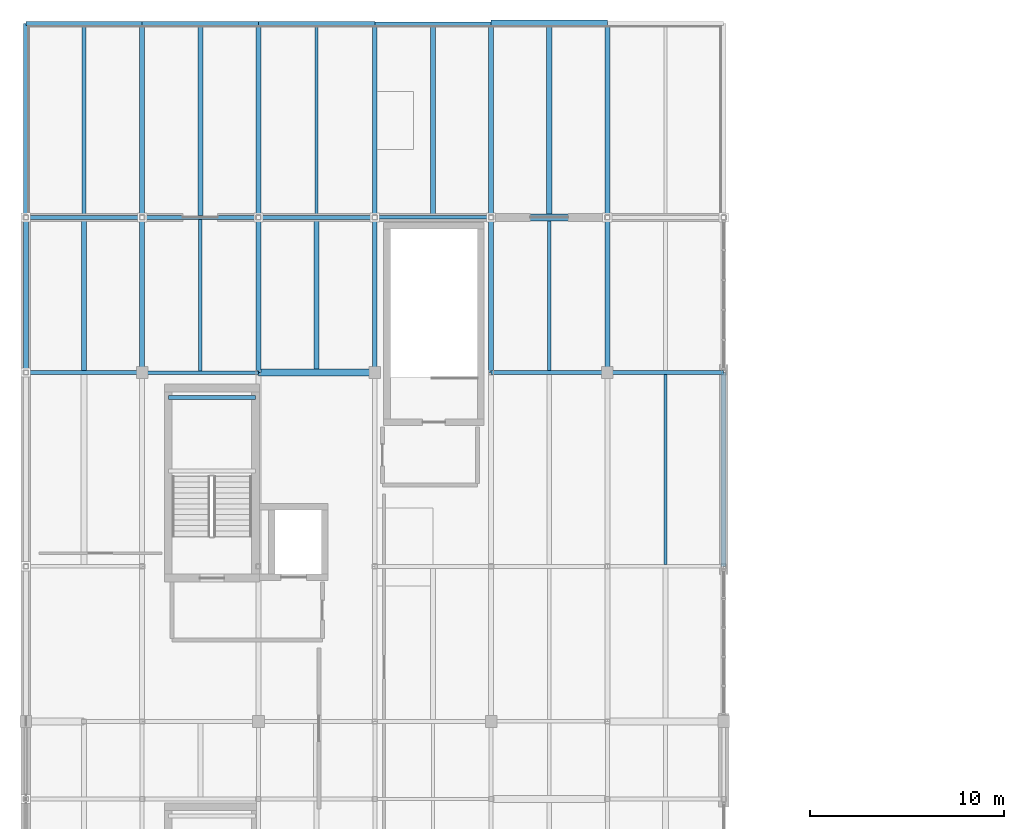
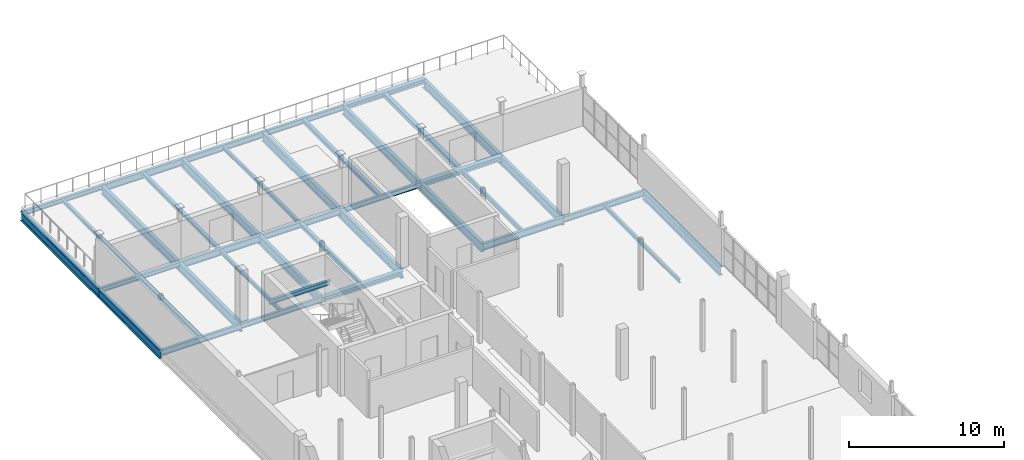
# One storey, part 20 of 35: 39 beams.
"""IFC4 building model written with IfcOpenShell, lengths in metres."""

from ifc_helpers import new_model, si_unit, direction, frame, origin, origin_2d, place, context, subcontext, project, spatial, i_section, extrude, material, material_profile, profile_set, type_object, element, save


model = new_model("IFC4")

# Units and contexts
model_context = context("Model", 3, precision=1e-05, world=origin(), true_north=direction((0.0, 1.0)))
body_context = subcontext(model_context, "Body", "Model", "MODEL_VIEW")
ifc_project = project(units=[si_unit("LENGTHUNIT", "METRE"), si_unit("AREAUNIT", "SQUARE_METRE"), si_unit("VOLUMEUNIT", "CUBIC_METRE"), si_unit("PLANEANGLEUNIT", "RADIAN"), si_unit("MASSUNIT", "GRAM", prefix="KILO")], contexts=[model_context])

# Site, building, storey
site_placement = place(None, origin())
site = spatial("IfcSite", under=ifc_project, at=site_placement, CompositionType="ELEMENT")
building_placement = place(site_placement, origin())
building = spatial("IfcBuilding", under=site, at=building_placement, Name="Verrall Gate Interchange", CompositionType="ELEMENT")
storey_placement = place(building_placement, frame((0.0, 0.0, 15.39990234375)))
storey = spatial("IfcBuildingStorey", under=building, at=storey_placement, Name="L04", CompositionType="ELEMENT", Elevation=15.39990234375)

# Beams
ifc_material_1 = material(Name="Structural Steel CSA G40.21 350WT Cat 4", Category="steel")
ifc_material_profile_1 = material_profile(ifc_material_1, i_section(OverallWidth=0.256103515625, OverallDepth=0.693115234375, WebThickness=0.01318359375, FlangeThickness=0.02001953125, FilletRadius=0.01611328125, at=origin_2d()), Name="W690x170")
ifc_profile_set_1 = profile_set([ifc_material_profile_1], Name="Structural Steel CSA G40.21 350WT Cat 4")
beam_type_1 = type_object("IfcBeamType", Name="B-07 Structural Beam W690x170", PredefinedType="BEAM", material=ifc_profile_set_1)
beam_1_placement = place(storey_placement, frame((0.0, 66.0, -0.676513671875), z_axis=(0.0, 1.0, 0.0), x_axis=(-1.0, 0.0, 0.0)))
element("IfcBeam", 1, at=beam_1_placement, inside=storey, type_object=beam_type_1, Name="L04 Girder BM-L04-2642 (B-07)", PredefinedType="BEAM", context=body_context, shape_type="SweptSolid", body=[
    extrude(i_section(OverallWidth=0.256103515625, OverallDepth=0.693115234375, WebThickness=0.01318359375, FlangeThickness=0.02001953125, FilletRadius=0.01611328125, at=origin_2d()), origin(), (0.0, 0.0, 1.0), 8.0),
])
beam_2_placement = place(storey_placement, frame((0.0, 74.0, -0.676513671875), z_axis=(0.0, 1.0, 0.0), x_axis=(-1.0, 0.0, 0.0)))
element("IfcBeam", 2, at=beam_2_placement, inside=storey, type_object=beam_type_1, Name="L04 Girder BM-L04-2643 (B-07)", PredefinedType="BEAM", context=body_context, shape_type="SweptSolid", body=[
    extrude(i_section(OverallWidth=0.256103515625, OverallDepth=0.693115234375, WebThickness=0.01318359375, FlangeThickness=0.02001953125, FilletRadius=0.01611328125, at=origin_2d()), origin(), (0.0, 0.0, 1.0), 10.0),
])
beam_3_placement = place(storey_placement, frame((6.0, 66.0, -0.676513671875), z_axis=(0.0, 1.0, 0.0), x_axis=(-1.0, 0.0, 0.0)))
element("IfcBeam", 3, at=beam_3_placement, inside=storey, type_object=beam_type_1, Name="L04 Girder BM-L04-2656 (B-07)", PredefinedType="BEAM", context=body_context, shape_type="SweptSolid", body=[
    extrude(i_section(OverallWidth=0.256103515625, OverallDepth=0.693115234375, WebThickness=0.01318359375, FlangeThickness=0.02001953125, FilletRadius=0.01611328125, at=origin_2d()), origin(), (0.0, 0.0, 1.0), 8.0),
])
beam_4_placement = place(storey_placement, frame((6.0, 74.0, -0.676513671875), z_axis=(0.0, 1.0, 0.0), x_axis=(-1.0, 0.0, 0.0)))
element("IfcBeam", 4, at=beam_4_placement, inside=storey, type_object=beam_type_1, Name="L04 Girder BM-L04-2657 (B-07)", PredefinedType="BEAM", context=body_context, shape_type="SweptSolid", body=[
    extrude(i_section(OverallWidth=0.256103515625, OverallDepth=0.693115234375, WebThickness=0.01318359375, FlangeThickness=0.02001953125, FilletRadius=0.01611328125, at=origin_2d()), origin(), (0.0, 0.0, 1.0), 10.0),
])
beam_5_placement = place(storey_placement, frame((12.0, 66.0, -0.676513671875), z_axis=(0.0, 1.0, 0.0), x_axis=(-1.0, 0.0, 0.0)))
element("IfcBeam", 5, at=beam_5_placement, inside=storey, type_object=beam_type_1, Name="L04 Girder BM-L04-2669 (B-07)", PredefinedType="BEAM", context=body_context, shape_type="SweptSolid", body=[
    extrude(i_section(OverallWidth=0.256103515625, OverallDepth=0.693115234375, WebThickness=0.01318359375, FlangeThickness=0.02001953125, FilletRadius=0.01611328125, at=origin_2d()), origin(), (0.0, 0.0, 1.0), 8.0),
])
beam_6_placement = place(storey_placement, frame((12.0, 74.0, -0.676513671875), z_axis=(0.0, 1.0, 0.0), x_axis=(-1.0, 0.0, 0.0)))
element("IfcBeam", 6, at=beam_6_placement, inside=storey, type_object=beam_type_1, Name="L04 Girder BM-L04-2670 (B-07)", PredefinedType="BEAM", context=body_context, shape_type="SweptSolid", body=[
    extrude(i_section(OverallWidth=0.256103515625, OverallDepth=0.693115234375, WebThickness=0.01318359375, FlangeThickness=0.02001953125, FilletRadius=0.01611328125, at=origin_2d()), origin(), (0.0, 0.0, 1.0), 10.0),
])
beam_7_placement = place(storey_placement, frame((18.0, 66.0, -0.676513671875), z_axis=(0.0, 1.0, 0.0), x_axis=(-1.0, 0.0, 0.0)))
element("IfcBeam", 7, at=beam_7_placement, inside=storey, type_object=beam_type_1, Name="L04 Girder BM-L04-2682 (B-07)", PredefinedType="BEAM", context=body_context, shape_type="SweptSolid", body=[
    extrude(i_section(OverallWidth=0.256103515625, OverallDepth=0.693115234375, WebThickness=0.01318359375, FlangeThickness=0.02001953125, FilletRadius=0.01611328125, at=origin_2d()), origin(), (0.0, 0.0, 1.0), 8.0),
])
beam_8_placement = place(storey_placement, frame((18.0, 74.0, -0.676513671875), z_axis=(0.0, 1.0, 0.0), x_axis=(-1.0, 0.0, 0.0)))
element("IfcBeam", 8, at=beam_8_placement, inside=storey, type_object=beam_type_1, Name="L04 Girder BM-L04-2683 (B-07)", PredefinedType="BEAM", context=body_context, shape_type="SweptSolid", body=[
    extrude(i_section(OverallWidth=0.256103515625, OverallDepth=0.693115234375, WebThickness=0.01318359375, FlangeThickness=0.02001953125, FilletRadius=0.01611328125, at=origin_2d()), origin(), (0.0, 0.0, 1.0), 10.0),
])
beam_9_placement = place(storey_placement, frame((24.0, 66.0, -0.676513671875), z_axis=(0.0, 1.0, 0.0), x_axis=(-1.0, 0.0, 0.0)))
element("IfcBeam", 9, at=beam_9_placement, inside=storey, type_object=beam_type_1, Name="L04 Girder BM-L04-2695 (B-07)", PredefinedType="BEAM", context=body_context, shape_type="SweptSolid", body=[
    extrude(i_section(OverallWidth=0.256103515625, OverallDepth=0.693115234375, WebThickness=0.01318359375, FlangeThickness=0.02001953125, FilletRadius=0.01611328125, at=origin_2d()), origin(), (0.0, 0.0, 1.0), 8.0),
])
beam_10_placement = place(storey_placement, frame((24.0, 74.0, -0.676513671875), z_axis=(0.0, 1.0, 0.0), x_axis=(-1.0, 0.0, 0.0)))
element("IfcBeam", 10, at=beam_10_placement, inside=storey, type_object=beam_type_1, Name="L04 Girder BM-L04-2696 (B-07)", PredefinedType="BEAM", context=body_context, shape_type="SweptSolid", body=[
    extrude(i_section(OverallWidth=0.256103515625, OverallDepth=0.693115234375, WebThickness=0.01318359375, FlangeThickness=0.02001953125, FilletRadius=0.01611328125, at=origin_2d()), origin(), (0.0, 0.0, 1.0), 10.0),
])
beam_11_placement = place(storey_placement, frame((30.0, 66.0, -0.676513671875), z_axis=(0.0, 1.0, 0.0), x_axis=(-1.0, 0.0, 0.0)))
element("IfcBeam", 11, at=beam_11_placement, inside=storey, type_object=beam_type_1, Name="L04 Girder BM-L04-2708 (B-07)", PredefinedType="BEAM", context=body_context, shape_type="SweptSolid", body=[
    extrude(i_section(OverallWidth=0.256103515625, OverallDepth=0.693115234375, WebThickness=0.01318359375, FlangeThickness=0.02001953125, FilletRadius=0.01611328125, at=origin_2d()), origin(), (0.0, 0.0, 1.0), 8.0),
])
for number, where, z_axis, x_axis, name in (
    (12, (30.0, 74.0, -0.676513671875), (0.0, 1.0, 0.0), (-1.0, 0.0, 0.0), "L04 Girder BM-L04-2709 (B-07)"),
    (13, (36.0, 56.0, -0.676513671875), (0.0, 1.0, 0.0), (-1.0, 0.0, 0.0), "L04 Girder BM-L04-2720 (B-07)"),
):
    element("IfcBeam", number, at=place(storey_placement, frame(where, z_axis=z_axis, x_axis=x_axis)), inside=storey, type_object=beam_type_1, Name=name, PredefinedType="BEAM", context=body_context, shape_type="SweptSolid", body=[
        extrude(i_section(OverallWidth=0.256103515625, OverallDepth=0.693115234375, WebThickness=0.01318359375, FlangeThickness=0.02001953125, FilletRadius=0.01611328125, at=origin_2d()), origin(), (0.0, 0.0, 1.0), 10.0),
    ])
ifc_material_2 = material(Name="Structural Steel CSA G40.21 350W", Category="steel")
ifc_material_profile_2 = material_profile(ifc_material_2, i_section(OverallWidth=0.2109375, OverallDepth=0.5390625, WebThickness=0.01171875, FlangeThickness=0.018798828125, FilletRadius=0.013916015625, at=origin_2d()), Name="W530x109")
ifc_profile_set_2 = profile_set([ifc_material_profile_2], Name="Structural Steel CSA G40.21 350W")
beam_type_2 = type_object("IfcBeamType", Name="B-10 Structural Beam W530x109", PredefinedType="BEAM", material=ifc_profile_set_2)
for number, where, z_axis, x_axis, name in (
    (14, (24.0, 66.0, -0.599365234375), (1.0, 0.0, 0.0), (0.0, 1.0, 0.0), "L04 Girder BM-L04-2617 (B-10)"),
    (15, (6.0, 74.0, -0.599365234375), (1.0, 0.0, 0.0), (0.0, 1.0, 0.0), "L04 Girder BM-L04-2620 (B-10)"),
    (16, (6.0, 84.0, -0.599365234375), (1.0, 0.0, 0.0), (0.0, 1.0, 0.0), "L04 Girder BM-L04-2626 (B-10)"),
):
    element("IfcBeam", number, at=place(storey_placement, frame(where, z_axis=z_axis, x_axis=x_axis)), inside=storey, type_object=beam_type_2, Name=name, PredefinedType="BEAM", context=body_context, shape_type="SweptSolid", body=[
        extrude(i_section(OverallWidth=0.2109375, OverallDepth=0.5390625, WebThickness=0.01171875, FlangeThickness=0.018798828125, FilletRadius=0.013916015625, at=origin_2d()), origin(), (0.0, 0.0, 1.0), 6.0),
    ])
ifc_material_3 = material(Name="Structural Steel CSA G40.21 350W", Category="steel")
ifc_material_profile_3 = material_profile(ifc_material_3, i_section(OverallWidth=0.19189453125, OverallDepth=0.462890625, WebThickness=0.010498046875, FlangeThickness=0.017578125, FilletRadius=0.012939453125, at=origin_2d()), Name="W460x89")
ifc_profile_set_3 = profile_set([ifc_material_profile_3], Name="Structural Steel CSA G40.21 350W")
beam_type_3 = type_object("IfcBeamType", Name="B-11 Structural Beam W460x89", PredefinedType="BEAM", material=ifc_profile_set_3)
for number, where, z_axis, x_axis, name in (
    (17, (0.0, 66.0, -0.5615234375), (1.0, 0.0, 0.0), (0.0, 1.0, 0.0), "L04 Girder BM-L04-2614 (B-11)"),
    (18, (30.0, 66.0, -0.5615234375), (1.0, 0.0, 0.0), (0.0, 1.0, 0.0), "L04 Girder BM-L04-2618 (B-11)"),
    (19, (12.0, 74.0, -0.5615234375), (1.0, 0.0, 0.0), (0.0, 1.0, 0.0), "L04 Girder BM-L04-2621 (B-11)"),
    (20, (12.0, 84.0, -0.5615234375), (1.0, 0.0, 0.0), (0.0, 1.0, 0.0), "L04 Girder BM-L04-2627 (B-11)"),
):
    element("IfcBeam", number, at=place(storey_placement, frame(where, z_axis=z_axis, x_axis=x_axis)), inside=storey, type_object=beam_type_3, Name=name, PredefinedType="BEAM", context=body_context, shape_type="SweptSolid", body=[
        extrude(i_section(OverallWidth=0.19189453125, OverallDepth=0.462890625, WebThickness=0.010498046875, FlangeThickness=0.017578125, FilletRadius=0.012939453125, at=origin_2d()), origin(), (0.0, 0.0, 1.0), 6.0),
    ])
ifc_material_4 = material(Name="Structural Steel CSA G40.21 350W", Category="steel")
ifc_material_profile_4 = material_profile(ifc_material_4, i_section(OverallWidth=0.178955078125, OverallDepth=0.409912109375, WebThickness=0.0087890625, FlangeThickness=0.014404296875, FilletRadius=0.011962890625, at=origin_2d()), Name="W410x67")
ifc_profile_set_4 = profile_set([ifc_material_profile_4], Name="Structural Steel CSA G40.21 350W")
beam_type_4 = type_object("IfcBeamType", Name="B-12 Structural Beam W410x67", PredefinedType="BEAM", material=ifc_profile_set_4)
for number, where, z_axis, x_axis, name in (
    (21, (6.0, 66.0, -0.534912109375), (1.0, 0.0, 0.0), (0.0, 1.0, 0.0), "L04 Girder BM-L04-2615 (B-12)"),
    (22, (18.0, 74.0, -0.534912109375), (1.0, 0.0, 0.0), (0.0, 1.0, 0.0), "L04 Girder BM-L04-2622 (B-12)"),
    (23, (18.0, 84.0, -0.534912109375), (1.0, 0.0, 0.0), (0.0, 1.0, 0.0), "L04 Girder BM-L04-2628 (B-12)"),
):
    element("IfcBeam", number, at=place(storey_placement, frame(where, z_axis=z_axis, x_axis=x_axis)), inside=storey, type_object=beam_type_4, Name=name, PredefinedType="BEAM", context=body_context, shape_type="SweptSolid", body=[
        extrude(i_section(OverallWidth=0.178955078125, OverallDepth=0.409912109375, WebThickness=0.0087890625, FlangeThickness=0.014404296875, FilletRadius=0.011962890625, at=origin_2d()), origin(), (0.0, 0.0, 1.0), 6.0),
    ])
ifc_material_5 = material(Name="Structural Steel CSA G40.21 350W", Category="steel")
ifc_material_profile_5 = material_profile(ifc_material_5, i_section(OverallWidth=0.368896484375, OverallDepth=0.35595703125, WebThickness=0.01123046875, FlangeThickness=0.01806640625, FilletRadius=0.014892578125, at=origin_2d()), Name="W360x134")
ifc_profile_set_5 = profile_set([ifc_material_profile_5], Name="Structural Steel CSA G40.21 350W")
beam_type_5 = type_object("IfcBeamType", Name="B-13 Structural Beam W360x134", PredefinedType="BEAM", material=ifc_profile_set_5)
for number, where, z_axis, x_axis, name in (
    (24, (12.0, 66.0, -0.5078125), (1.0, 0.0, 0.0), (0.0, 1.0, 0.0), "L04 Girder BM-L04-2616 (B-13)"),
    (25, (24.0, 74.0, -0.5078125), (1.0, 0.0, 0.0), (0.0, 1.0, 0.0), "L04 Girder BM-L04-2623 (B-13)"),
    (26, (24.0, 84.0, -0.5078125), (1.0, 0.0, 0.0), (0.0, 1.0, 0.0), "L04 Girder BM-L04-2629 (B-13)"),
):
    element("IfcBeam", number, at=place(storey_placement, frame(where, z_axis=z_axis, x_axis=x_axis)), inside=storey, type_object=beam_type_5, Name=name, PredefinedType="BEAM", context=body_context, shape_type="SweptSolid", body=[
        extrude(i_section(OverallWidth=0.368896484375, OverallDepth=0.35595703125, WebThickness=0.01123046875, FlangeThickness=0.01806640625, FilletRadius=0.014892578125, at=origin_2d()), origin(), (0.0, 0.0, 1.0), 6.0),
    ])
ifc_material_6 = material(Name="Structural Steel CSA G40.21 350W", Category="steel")
ifc_material_profile_6 = material_profile(ifc_material_6, i_section(OverallWidth=0.205078125, OverallDepth=0.35400390625, WebThickness=0.009521484375, FlangeThickness=0.016845703125, FilletRadius=0.012939453125, at=origin_2d()), Name="W360x79")
ifc_profile_set_6 = profile_set([ifc_material_profile_6], Name="Structural Steel CSA G40.21 350W")
beam_type_6 = type_object("IfcBeamType", Name="B-14 Structural Beam W360x79", PredefinedType="BEAM", material=ifc_profile_set_6)
for number, where, z_axis, x_axis, name in (
    (27, (0.0, 74.0, -0.5068359375), (1.0, 0.0, 0.0), (0.0, 1.0, 0.0), "L04 Girder BM-L04-2619 (B-14)"),
    (28, (0.0, 84.0, -0.5068359375), (1.0, 0.0, 0.0), (0.0, 1.0, 0.0), "L04 Girder BM-L04-2625 (B-14)"),
):
    element("IfcBeam", number, at=place(storey_placement, frame(where, z_axis=z_axis, x_axis=x_axis)), inside=storey, type_object=beam_type_6, Name=name, PredefinedType="BEAM", context=body_context, shape_type="SweptSolid", body=[
        extrude(i_section(OverallWidth=0.205078125, OverallDepth=0.35400390625, WebThickness=0.009521484375, FlangeThickness=0.016845703125, FilletRadius=0.012939453125, at=origin_2d()), origin(), (0.0, 0.0, 1.0), 6.0),
    ])
beam_12_placement = place(storey_placement, frame((7.35009765625, 64.719970703125, 1.630126953125), z_axis=(1.0, 0.0, 0.0), x_axis=(0.0, 1.0, 0.0)))
element("IfcBeam", 29, at=beam_12_placement, inside=storey, type_object=beam_type_6, Name="L04 Core C3 Mid-Landing Beam 2", PredefinedType="BEAM", context=body_context, shape_type="SweptSolid", body=[
    extrude(i_section(OverallWidth=0.205078125, OverallDepth=0.35400390625, WebThickness=0.009521484375, FlangeThickness=0.016845703125, FilletRadius=0.012939453125, at=origin_2d()), origin(), (0.0, 0.0, 1.0), 4.5),
])
ifc_material_7 = material(Name="Structural Steel CSA G40.21 350W", Category="steel")
ifc_material_profile_7 = material_profile(ifc_material_7, i_section(OverallWidth=0.172119140625, OverallDepth=0.35791015625, WebThickness=0.0078125, FlangeThickness=0.01318359375, FilletRadius=0.010986328125, at=origin_2d()), Name="W360x57")
ifc_profile_set_7 = profile_set([ifc_material_profile_7], Name="Structural Steel CSA G40.21 350W")
beam_type_7 = type_object("IfcBeamType", Name="J-01 Floor Joist W360x57", PredefinedType="JOIST", material=ifc_profile_set_7)
beam_13_placement = place(storey_placement, frame((27.0, 66.10546875, -0.5087890625), z_axis=(0.0, 1.0, 0.0), x_axis=(-1.0, 0.0, 0.0)))
element("IfcBeam", 30, at=beam_13_placement, inside=storey, type_object=beam_type_7, Name="L04 Secondary Floor Joist JST-L04-2838", PredefinedType="JOIST", context=body_context, shape_type="SweptSolid", body=[
    extrude(i_section(OverallWidth=0.172119140625, OverallDepth=0.35791015625, WebThickness=0.0078125, FlangeThickness=0.01318359375, FilletRadius=0.010986328125, at=origin_2d()), origin(), (0.0, 0.0, 1.0), 7.7099609375),
])
ifc_material_8 = material(Name="Structural Steel CSA G40.21 350W", Category="steel")
ifc_material_profile_8 = material_profile(ifc_material_8, i_section(OverallWidth=0.306884765625, OverallDepth=0.31396484375, WebThickness=0.011962890625, FlangeThickness=0.018798828125, FilletRadius=0.013916015625, at=origin_2d()), Name="W310x118")
ifc_profile_set_8 = profile_set([ifc_material_profile_8], Name="Structural Steel CSA G40.21 350W")
beam_type_8 = type_object("IfcBeamType", Name="J-02 Floor Joist W310x118", PredefinedType="JOIST", material=ifc_profile_set_8)
beam_14_placement = place(storey_placement, frame((27.0, 74.1845703125, -0.48681640625), z_axis=(0.0, 1.0, 0.0), x_axis=(-1.0, 0.0, 0.0)))
element("IfcBeam", 31, at=beam_14_placement, inside=storey, type_object=beam_type_8, Name="L04 Secondary Floor Joist JST-L04-2844", PredefinedType="JOIST", context=body_context, shape_type="SweptSolid", body=[
    extrude(i_section(OverallWidth=0.306884765625, OverallDepth=0.31396484375, WebThickness=0.011962890625, FlangeThickness=0.018798828125, FilletRadius=0.013916015625, at=origin_2d()), origin(), (0.0, 0.0, 1.0), 9.630859375),
])
ifc_material_9 = material(Name="Structural Steel CSA G40.21 350W", Category="steel")
ifc_material_profile_9 = material_profile(ifc_material_9, i_section(OverallWidth=0.25390625, OverallDepth=0.305908203125, WebThickness=0.0087890625, FlangeThickness=0.0146484375, FilletRadius=0.012939453125, at=origin_2d()), Name="W310x79")
ifc_profile_set_9 = profile_set([ifc_material_profile_9], Name="Structural Steel CSA G40.21 350W")
beam_type_9 = type_object("IfcBeamType", Name="J-03 Floor Joist W310x79", PredefinedType="JOIST", material=ifc_profile_set_9)
beam_15_placement = place(storey_placement, frame((15.0, 66.1845703125, -0.48291015625), z_axis=(0.0, 1.0, 0.0), x_axis=(-1.0, 0.0, 0.0)))
element("IfcBeam", 32, at=beam_15_placement, inside=storey, type_object=beam_type_9, Name="L04 Secondary Floor Joist JST-L04-2837", PredefinedType="JOIST", context=body_context, shape_type="SweptSolid", body=[
    extrude(i_section(OverallWidth=0.25390625, OverallDepth=0.305908203125, WebThickness=0.0087890625, FlangeThickness=0.0146484375, FilletRadius=0.012939453125, at=origin_2d()), origin(), (0.0, 0.0, 1.0), 7.719482421875),
])
beam_16_placement = place(storey_placement, frame((21.0, 74.089599609375, -0.48291015625), z_axis=(0.0, 1.0, 0.0), x_axis=(-1.0, 0.0, 0.0)))
element("IfcBeam", 33, at=beam_16_placement, inside=storey, type_object=beam_type_9, Name="L04 Secondary Floor Joist JST-L04-2843", PredefinedType="JOIST", context=body_context, shape_type="SweptSolid", body=[
    extrude(i_section(OverallWidth=0.25390625, OverallDepth=0.305908203125, WebThickness=0.0087890625, FlangeThickness=0.0146484375, FilletRadius=0.012939453125, at=origin_2d()), origin(), (0.0, 0.0, 1.0), 9.82080078125),
])
ifc_material_10 = material(Name="Structural Steel CSA G40.21 350W", Category="steel")
ifc_material_profile_10 = material_profile(ifc_material_10, i_section(OverallWidth=0.1650390625, OverallDepth=0.31005859375, WebThickness=0.005859375, FlangeThickness=0.009765625, FilletRadius=0.010009765625, at=origin_2d()), Name="W310x39")
ifc_profile_set_10 = profile_set([ifc_material_profile_10], Name="Structural Steel CSA G40.21 350W")
beam_type_10 = type_object("IfcBeamType", Name="J-04 Floor Joist W310x39", PredefinedType="JOIST", material=ifc_profile_set_10)
beam_17_placement = place(storey_placement, frame((33.0, 56.095947265625, -0.48486328125), z_axis=(0.0, 1.0, 0.0), x_axis=(-1.0, 0.0, 0.0)))
element("IfcBeam", 34, at=beam_17_placement, inside=storey, type_object=beam_type_10, Name="L04 Secondary Floor Joist JST-L04-2834", PredefinedType="JOIST", context=body_context, shape_type="SweptSolid", body=[
    extrude(i_section(OverallWidth=0.1650390625, OverallDepth=0.31005859375, WebThickness=0.005859375, FlangeThickness=0.009765625, FilletRadius=0.010009765625, at=origin_2d()), origin(), (0.0, 0.0, 1.0), 9.80810546875),
])
beam_18_placement = place(storey_placement, frame((9.0, 66.089599609375, -0.48486328125), z_axis=(0.0, 1.0, 0.0), x_axis=(-1.0, 0.0, 0.0)))
element("IfcBeam", 35, at=beam_18_placement, inside=storey, type_object=beam_type_10, Name="L04 Secondary Floor Joist JST-L04-2836", PredefinedType="JOIST", context=body_context, shape_type="SweptSolid", body=[
    extrude(i_section(OverallWidth=0.1650390625, OverallDepth=0.31005859375, WebThickness=0.005859375, FlangeThickness=0.009765625, FilletRadius=0.010009765625, at=origin_2d()), origin(), (0.0, 0.0, 1.0), 7.804931640625),
])
beam_19_placement = place(storey_placement, frame((15.0, 74.095947265625, -0.48486328125), z_axis=(0.0, 1.0, 0.0), x_axis=(-1.0, 0.0, 0.0)))
element("IfcBeam", 36, at=beam_19_placement, inside=storey, type_object=beam_type_10, Name="L04 Secondary Floor Joist JST-L04-2842", PredefinedType="JOIST", context=body_context, shape_type="SweptSolid", body=[
    extrude(i_section(OverallWidth=0.1650390625, OverallDepth=0.31005859375, WebThickness=0.005859375, FlangeThickness=0.009765625, FilletRadius=0.010009765625, at=origin_2d()), origin(), (0.0, 0.0, 1.0), 9.80810546875),
])
ifc_material_11 = material(Name="Structural Steel CSA G40.21 350W", Category="steel")
ifc_material_profile_11 = material_profile(ifc_material_11, i_section(OverallWidth=0.25390625, OverallDepth=0.2529296875, WebThickness=0.008544921875, FlangeThickness=0.01416015625, FilletRadius=0.011962890625, at=origin_2d()), Name="W250x73")
ifc_profile_set_11 = profile_set([ifc_material_profile_11], Name="Structural Steel CSA G40.21 350W")
beam_type_11 = type_object("IfcBeamType", Name="J-05 Floor Joist W250x73", PredefinedType="JOIST", material=ifc_profile_set_11)
beam_20_placement = place(storey_placement, frame((3.0, 66.095947265625, -0.456298828125), z_axis=(0.0, 1.0, 0.0), x_axis=(-1.0, 0.0, 0.0)))
element("IfcBeam", 37, at=beam_20_placement, inside=storey, type_object=beam_type_11, Name="L04 Secondary Floor Joist JST-L04-2835", PredefinedType="JOIST", context=body_context, shape_type="SweptSolid", body=[
    extrude(i_section(OverallWidth=0.25390625, OverallDepth=0.2529296875, WebThickness=0.008544921875, FlangeThickness=0.01416015625, FilletRadius=0.011962890625, at=origin_2d()), origin(), (0.0, 0.0, 1.0), 7.801513671875),
])
beam_21_placement = place(storey_placement, frame((9.0, 74.10546875, -0.456298828125), z_axis=(0.0, 1.0, 0.0), x_axis=(-1.0, 0.0, 0.0)))
element("IfcBeam", 38, at=beam_21_placement, inside=storey, type_object=beam_type_11, Name="L04 Secondary Floor Joist JST-L04-2841", PredefinedType="JOIST", context=body_context, shape_type="SweptSolid", body=[
    extrude(i_section(OverallWidth=0.25390625, OverallDepth=0.2529296875, WebThickness=0.008544921875, FlangeThickness=0.01416015625, FilletRadius=0.011962890625, at=origin_2d()), origin(), (0.0, 0.0, 1.0), 9.7890625),
])
ifc_material_12 = material(Name="Structural Steel CSA G40.21 350W", Category="steel")
ifc_material_profile_12 = material_profile(ifc_material_12, i_section(OverallWidth=0.201904296875, OverallDepth=0.2470703125, WebThickness=0.00732421875, FlangeThickness=0.010986328125, FilletRadius=0.010986328125, at=origin_2d()), Name="W250x49")
ifc_profile_set_12 = profile_set([ifc_material_profile_12], Name="Structural Steel CSA G40.21 350W")
beam_type_12 = type_object("IfcBeamType", Name="J-06 Floor Joist W250x49", PredefinedType="JOIST", material=ifc_profile_set_12)
beam_22_placement = place(storey_placement, frame((3.0, 74.1025390625, -0.453369140625), z_axis=(0.0, 1.0, 0.0), x_axis=(-1.0, 0.0, 0.0)))
element("IfcBeam", 39, at=beam_22_placement, inside=storey, type_object=beam_type_12, Name="L04 Secondary Floor Joist JST-L04-2840", PredefinedType="JOIST", context=body_context, shape_type="SweptSolid", body=[
    extrude(i_section(OverallWidth=0.201904296875, OverallDepth=0.2470703125, WebThickness=0.00732421875, FlangeThickness=0.010986328125, FilletRadius=0.010986328125, at=origin_2d()), origin(), (0.0, 0.0, 1.0), 9.794921875),
])

save(model, "model.ifc")
